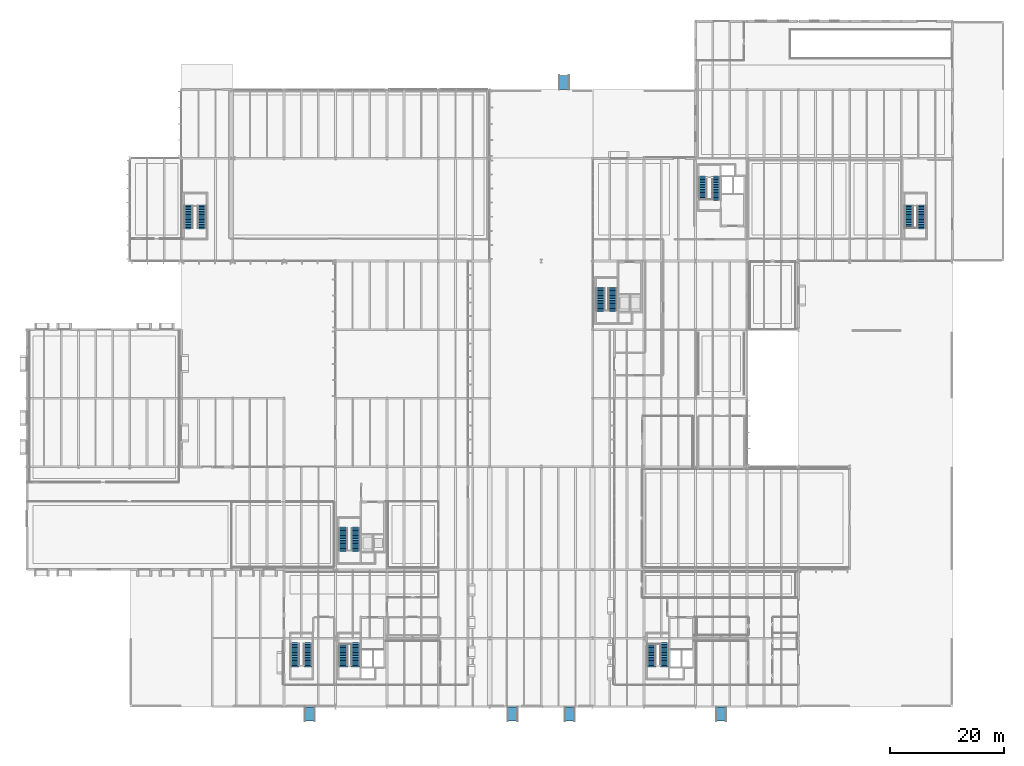
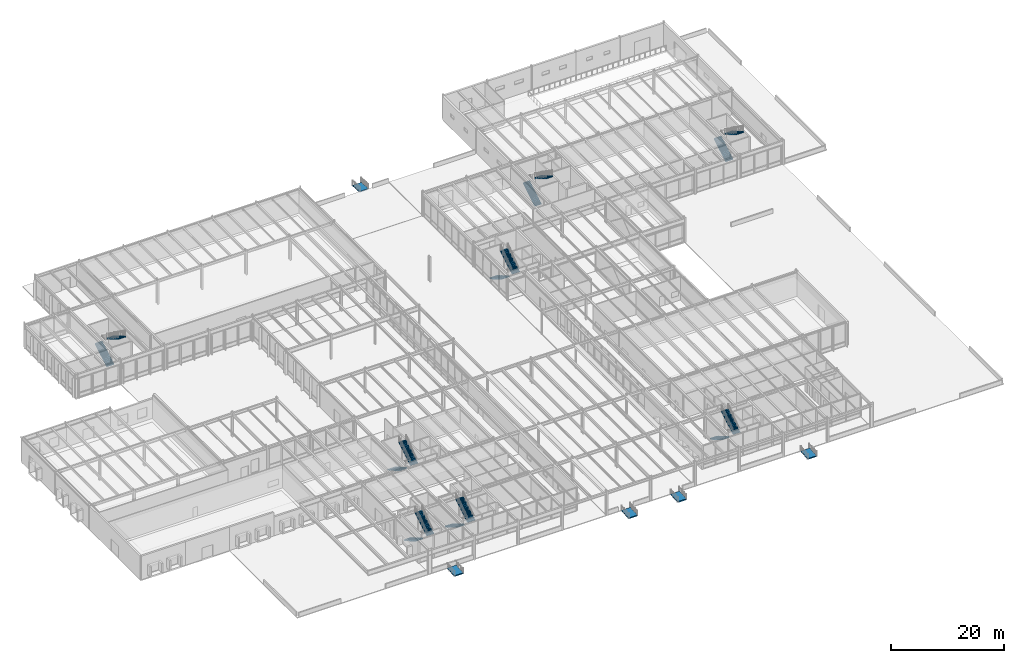
# One storey, part 131 of 143: 16 stair flights, 5 ramp flights, 13 elements without a shape of their own.
"""IFC4 building model written with IfcOpenShell, lengths in metres."""

import ifcopenshell
import ifcopenshell.guid

model = None  # the IFC model being written
_history = None  # IfcOwnerHistory: only IFC2X3 demands one
_inside = {}  # id of a spatial element -> (the spatial element, [elements in it])
_under = {}  # id of a project, library or spatial element -> (it, [spatial elements below it])
_declared = {}  # id of a project -> (the project, [libraries it declares])
_typed = {}  # id of a type object -> (the type object, [elements of that type])
_made_of = {}  # id of a material, layer set ... -> (it, [elements and type objects made of it])


def new_model(schema):
    """Start an empty IFC model of exactly this schema.

    Asked for "IFC4X3", IfcOpenShell would pick the latest addendum, in which some entities
    have other attributes; the version numbers below select the first issue.
    IFC2X3 requires an IfcOwnerHistory on every rooted entity: one is made here for all.
    """
    global model, _history
    if schema == "IFC4X3":
        model = ifcopenshell.file(schema_version=(4, 3, 0, 0))
    else:
        model = ifcopenshell.file(schema=schema)
    _inside.clear()
    _under.clear()
    _declared.clear()
    _typed.clear()
    _made_of.clear()
    _history = None
    if model.schema == "IFC2X3":
        org = make("IfcOrganization", Name="unknown")
        user = make(
            "IfcPersonAndOrganization",
            ThePerson=make("IfcPerson", FamilyName="unknown"),
            TheOrganization=org,
        )
        app = make(
            "IfcApplication",
            ApplicationDeveloper=org,
            Version="unknown",
            ApplicationFullName="unknown",
            ApplicationIdentifier="unknown",
        )
        _history = make(
            "IfcOwnerHistory",
            OwningUser=user,
            OwningApplication=app,
            ChangeAction="ADDED",
            CreationDate=0,
        )
    return model


def make(cls, **values):
    """One entity of the class cls with the attributes given. An attribute that is None is left unset."""
    return model.create_entity(
        cls, **{name: value for name, value in values.items() if value is not None}
    )


def rooted(cls, **values):
    """An entity with a GlobalId (a new one), such as an element, a storey or a relation."""
    return make(cls, GlobalId=ifcopenshell.guid.new(), OwnerHistory=_history, **values)


def si_unit(unit_type, name, prefix=None):
    """IfcSIUnit, for example si_unit("LENGTHUNIT", "METRE", prefix="MILLI")."""
    return make("IfcSIUnit", UnitType=unit_type, Prefix=prefix, Name=name)


def assignment(units):
    """IfcUnitAssignment: the units of a project."""
    return None if units is None else make("IfcUnitAssignment", Units=units)


def point(xyz):
    """IfcCartesianPoint."""
    return None if xyz is None else make("IfcCartesianPoint", Coordinates=xyz)


def direction(xyz):
    """IfcDirection."""
    return None if xyz is None else make("IfcDirection", DirectionRatios=xyz)


def frame(location, z_axis=None, x_axis=None):
    """IfcAxis2Placement3D, a coordinate frame: its origin and axes. An axis left out is left unset."""
    return make(
        "IfcAxis2Placement3D",
        Location=point(location),
        Axis=direction(z_axis),
        RefDirection=direction(x_axis),
    )


def origin():
    """The frame at (0, 0, 0) with its axes left unset."""
    return frame((0.0, 0.0, 0.0))


def place(relative_to, where):
    """IfcLocalPlacement: puts the frame where relative to a parent placement (None: the world)."""
    return make(
        "IfcLocalPlacement", PlacementRelTo=relative_to, RelativePlacement=where
    )


def context(
    kind, dimensions, precision=None, world=None, true_north=None, identifier=None
):
    """IfcGeometricRepresentationContext, for example the 3D "Model" context."""
    return make(
        "IfcGeometricRepresentationContext",
        ContextIdentifier=identifier,
        ContextType=kind,
        CoordinateSpaceDimension=dimensions,
        Precision=precision,
        WorldCoordinateSystem=world,
        TrueNorth=true_north,
    )


def subcontext(parent, identifier, kind, view, scale=None):
    """IfcGeometricRepresentationSubContext, for example "Body" below "Model"."""
    return make(
        "IfcGeometricRepresentationSubContext",
        ContextIdentifier=identifier,
        ContextType=kind,
        ParentContext=parent,
        TargetScale=scale,
        TargetView=view,
    )


def project(units=None, contexts=None):
    """IfcProject with its units and contexts."""
    return rooted(
        "IfcProject",
        Name="project",
        RepresentationContexts=contexts,
        UnitsInContext=assignment(units),
    )


def spatial(cls, under=None, at=None, **own):
    """A site, building, storey or space (cls), placed at a placement, below another one or the project."""
    s = rooted(cls, ObjectPlacement=at, **own)
    if under is not None:
        _under.setdefault(under.id(), (under, []))[1].append(s)
    return s


def polyline(points):
    """IfcPolyline through the points."""
    return make("IfcPolyline", Points=[point(p) for p in points])


def outline(outer, holes=None, kind="AREA"):
    """IfcArbitraryClosedProfileDef: a profile drawn as a closed curve; with holes, ...WithVoids."""
    if holes is None:
        return make("IfcArbitraryClosedProfileDef", ProfileType=kind, OuterCurve=outer)
    return make(
        "IfcArbitraryProfileDefWithVoids",
        ProfileType=kind,
        OuterCurve=outer,
        InnerCurves=holes,
    )


def extrude(swept, where, along, depth):
    """IfcExtrudedAreaSolid: the profile swept, set in the frame where, extruded along a direction by depth."""
    return make(
        "IfcExtrudedAreaSolid",
        SweptArea=swept,
        Position=where,
        ExtrudedDirection=direction(along),
        Depth=depth,
    )


def shape(context_of_items, identifier, shape_type, items):
    """IfcShapeRepresentation: the items that make up one representation, for example the "Body"."""
    return make(
        "IfcShapeRepresentation",
        ContextOfItems=context_of_items,
        RepresentationIdentifier=identifier,
        RepresentationType=shape_type,
        Items=items,
    )


def material(Name=None, Category=None):
    """IfcMaterial."""
    return make("IfcMaterial", Name=Name, Category=Category)


def layer(
    of_material, thickness, ventilated=None, Name=None, Category=None, Priority=None
):
    """IfcMaterialLayer: one layer of a wall or slab, of a material (None: an air gap)."""
    return make(
        "IfcMaterialLayer",
        Material=of_material,
        LayerThickness=thickness,
        IsVentilated=ventilated,
        Name=Name,
        Category=Category,
        Priority=Priority,
    )


def layer_set(layers, Name=None):
    """IfcMaterialLayerSet."""
    return make("IfcMaterialLayerSet", MaterialLayers=layers, LayerSetName=Name)


def made_of(thing, what):
    """Note that an element or type object is made of a material, layer set ...; save() writes the relation."""
    if what is not None:
        _made_of.setdefault(what.id(), (what, []))[1].append(thing)
    return thing


def type_object(cls, material=None, **own):
    """A type object (cls), such as IfcWallType, which elements share."""
    return made_of(rooted(cls, **own), material)


def element(
    cls,
    number,
    at=None,
    inside=None,
    cuts=None,
    type_object=None,
    material=None,
    context=None,
    identifier="Body",
    shape_type=None,
    held_by="IfcProductDefinitionShape",
    body=None,
    shapes=None,
    **own,
):
    """One element of the class cls, such as IfcWall. Its Tag is "e" and its number.

    at: its placement. inside: the storey or other place that contains it. cuts: it is an
    opening in that element (IfcRelVoidsElement). A single representation is given by context,
    identifier, shape_type and body (its items); several are given by shapes. held_by: the class
    of the entity that holds the representations. save() writes the other relations.
    """
    e = rooted(cls, Tag="e%d" % number, ObjectPlacement=at, **own)
    if body is not None:
        shapes = [shape(context, identifier, shape_type, body)]
    if shapes is not None:
        e.Representation = make(held_by, Representations=shapes)
    if inside is not None:
        _inside.setdefault(inside.id(), (inside, []))[1].append(e)
    if cuts is not None:
        rooted(
            "IfcRelVoidsElement", RelatingBuildingElement=cuts, RelatedOpeningElement=e
        )
    if type_object is not None:
        _typed.setdefault(type_object.id(), (type_object, []))[1].append(e)
    return made_of(e, material)


def aggregate(whole, parts):
    """IfcRelAggregates: a whole, such as a stair, and the parts it consists of."""
    return rooted("IfcRelAggregates", RelatingObject=whole, RelatedObjects=parts)


def save(model, path):
    """Write the relations noted so far, then the file.

    IfcRelAggregates (storeys below a building ...), IfcRelContainedInSpatialStructure (elements
    in a storey), IfcRelDefinesByType, IfcRelAssociatesMaterial and IfcRelDeclares: one each for
    every whole, place, type object, material and project.
    """
    for whole, parts in _under.values():
        aggregate(whole, parts)
    for where, things in _inside.values():
        rooted(
            "IfcRelContainedInSpatialStructure",
            RelatedElements=things,
            RelatingStructure=where,
        )
    for kind, things in _typed.values():
        rooted("IfcRelDefinesByType", RelatedObjects=things, RelatingType=kind)
    for what, things in _made_of.values():
        rooted("IfcRelAssociatesMaterial", RelatedObjects=things, RelatingMaterial=what)
    for by, libraries in _declared.values():
        rooted("IfcRelDeclares", RelatingContext=by, RelatedDefinitions=libraries)
    model.write(path)


model = new_model("IFC4")

# Units and contexts
model_context = context("Model", 3, precision=1e-05, world=origin(), true_north=direction((0.0, 1.0)))
body_context = subcontext(model_context, "Body", "Model", "MODEL_VIEW")
ifc_project = project(units=[si_unit("LENGTHUNIT", "METRE"), si_unit("AREAUNIT", "SQUARE_METRE"), si_unit("VOLUMEUNIT", "CUBIC_METRE"), si_unit("PLANEANGLEUNIT", "RADIAN"), si_unit("MASSUNIT", "GRAM", prefix="KILO")], contexts=[model_context])

# Site, building, storey
site_placement = place(None, origin())
site = spatial("IfcSite", under=ifc_project, at=site_placement, CompositionType="ELEMENT")
building_placement = place(site_placement, origin())
building = spatial("IfcBuilding", under=site, at=building_placement, Name="Montelvaro Courts of Justice", CompositionType="ELEMENT")
storey_placement = place(building_placement, origin())
storey = spatial("IfcBuildingStorey", under=building, at=storey_placement, Name="L00", CompositionType="ELEMENT", Elevation=0.0)

# Stair, stair flights
ifc_material = material(Name="Concrete C35/45", Category="concrete")
stair_type_1 = type_object("IfcStairType", Name="ProtectedStair_135", PredefinedType="HALF_TURN_STAIR", material=ifc_material)
stair_1_placement = place(storey_placement, origin())
stair_1 = element("IfcStair", 1, at=stair_1_placement, inside=storey, type_object=stair_type_1, Name="Protected Stair ST-K3-L00", PredefinedType="HALF_TURN_STAIR")
stair_flight_type_1 = type_object("IfcStairFlightType", Name="StairFlight_135", PredefinedType="STRAIGHT", material=ifc_material)
stair_flight_1_placement = place(storey_placement, frame((118.27490234375, 88.580078125, 0.0), z_axis=(0.0, 0.0, 1.0), x_axis=(0.0, 1.0, 0.0)))
stair_flight_1 = element("IfcStairFlight", 2, at=stair_flight_1_placement, type_object=stair_flight_type_1, Name="ST-K3-L00 flight 1", NumberOfRisers=16, NumberOfTreads=15, PredefinedType="STRAIGHT", RiserHeight=0.16875, TreadLength=0.285, context=body_context, shape_type="SweptSolid", body=[
    extrude(outline(polyline([(0.0, 0.0), (0.0, 0.168701171875), (0.284912109375, 0.168701171875), (0.284912109375, 0.33740234375), (0.570068359375, 0.33740234375), (0.570068359375, 0.50634765625), (0.85498046875, 0.50634765625), (0.85498046875, 0.675048828125), (1.139892578125, 0.675048828125), (1.139892578125, 0.84375), (1.425048828125, 0.84375), (1.425048828125, 1.012451171875), (1.7099609375, 1.012451171875), (1.7099609375, 1.18115234375), (1.9951171875, 1.18115234375), (1.9951171875, 1.35009765625), (2.280029296875, 1.35009765625), (2.280029296875, 1.518798828125), (2.56494140625, 1.518798828125), (2.56494140625, 1.6875), (2.85009765625, 1.6875), (2.85009765625, 1.856201171875), (3.135009765625, 1.856201171875), (3.135009765625, 2.02490234375), (3.419921875, 2.02490234375), (3.419921875, 2.19384765625), (3.705078125, 2.19384765625), (3.705078125, 2.362548828125), (3.989990234375, 2.362548828125), (3.989990234375, 2.53125), (4.27490234375, 2.53125), (4.27490234375, 2.699951171875), (4.27490234375, 2.345458984375), (0.31396484375, 0.0), (0.0, 0.0)])), frame((0.0, 0.675048828125, 0.0), z_axis=(0.0, -1.0, 0.0), x_axis=(1.0, 0.0, 0.0)), (0.0, 0.0, 1.0), 1.35009765625),
])
stair_flight_2_placement = place(storey_placement, frame((120.625, 92.85498046875, 2.699951171875), z_axis=(0.0, 0.0, 1.0), x_axis=(0.0, -1.0, 0.0)))
stair_flight_2 = element("IfcStairFlight", 3, at=stair_flight_2_placement, type_object=stair_flight_type_1, Name="ST-K3-L00 flight 2", NumberOfRisers=16, NumberOfTreads=15, PredefinedType="STRAIGHT", RiserHeight=0.16875, TreadLength=0.285, context=body_context, shape_type="SweptSolid", body=[
    extrude(outline(polyline([(0.0, 0.0), (0.0, 0.168701171875), (0.284912109375, 0.168701171875), (0.284912109375, 0.33740234375), (0.570068359375, 0.33740234375), (0.570068359375, 0.50634765625), (0.85498046875, 0.50634765625), (0.85498046875, 0.675048828125), (1.139892578125, 0.675048828125), (1.139892578125, 0.84375), (1.425048828125, 0.84375), (1.425048828125, 1.012451171875), (1.7099609375, 1.012451171875), (1.7099609375, 1.18115234375), (1.9951171875, 1.18115234375), (1.9951171875, 1.35009765625), (2.280029296875, 1.35009765625), (2.280029296875, 1.518798828125), (2.56494140625, 1.518798828125), (2.56494140625, 1.6875), (2.85009765625, 1.6875), (2.85009765625, 1.856201171875), (3.135009765625, 1.856201171875), (3.135009765625, 2.02490234375), (3.419921875, 2.02490234375), (3.419921875, 2.19384765625), (3.705078125, 2.19384765625), (3.705078125, 2.362548828125), (3.989990234375, 2.362548828125), (3.989990234375, 2.53125), (4.27490234375, 2.53125), (4.27490234375, 2.699951171875), (4.27490234375, 2.345458984375), (0.31396484375, 0.0), (0.0, 0.0)])), frame((0.0, 0.675048828125, 0.0), z_axis=(0.0, -1.0, 0.0), x_axis=(1.0, 0.0, 0.0)), (0.0, 0.0, 1.0), 1.35009765625),
])
aggregate(stair_1, [stair_flight_1, stair_flight_2])

stair_type_2 = type_object("IfcStairType", Name="ProtectedStair_145", PredefinedType="HALF_TURN_STAIR", material=ifc_material)
stair_2_placement = place(storey_placement, origin())
stair_2 = element("IfcStair", 4, at=stair_2_placement, inside=storey, type_object=stair_type_2, Name="Protected Stair ST-K2-L00", PredefinedType="HALF_TURN_STAIR")
stair_flight_type_2 = type_object("IfcStairFlightType", Name="StairFlight_145", PredefinedType="STRAIGHT", material=ifc_material)
stair_flight_3_placement = place(storey_placement, frame((109.324951171875, 11.219970703125, 0.0), z_axis=(0.0, 0.0, 1.0), x_axis=(0.0, -1.0, 0.0)))
stair_flight_3 = element("IfcStairFlight", 5, at=stair_flight_3_placement, type_object=stair_flight_type_2, Name="ST-K2-L00 flight 1", NumberOfRisers=16, NumberOfTreads=15, PredefinedType="STRAIGHT", RiserHeight=0.16875, TreadLength=0.285, context=body_context, shape_type="SweptSolid", body=[
    extrude(outline(polyline([(0.0, 0.0), (0.0, 0.168701171875), (0.284912109375, 0.168701171875), (0.284912109375, 0.33740234375), (0.570068359375, 0.33740234375), (0.570068359375, 0.50634765625), (0.85498046875, 0.50634765625), (0.85498046875, 0.675048828125), (1.139892578125, 0.675048828125), (1.139892578125, 0.84375), (1.425048828125, 0.84375), (1.425048828125, 1.012451171875), (1.7099609375, 1.012451171875), (1.7099609375, 1.18115234375), (1.9951171875, 1.18115234375), (1.9951171875, 1.35009765625), (2.280029296875, 1.35009765625), (2.280029296875, 1.518798828125), (2.56494140625, 1.518798828125), (2.56494140625, 1.6875), (2.85009765625, 1.6875), (2.85009765625, 1.856201171875), (3.135009765625, 1.856201171875), (3.135009765625, 2.02490234375), (3.419921875, 2.02490234375), (3.419921875, 2.19384765625), (3.705078125, 2.19384765625), (3.705078125, 2.362548828125), (3.989990234375, 2.362548828125), (3.989990234375, 2.53125), (4.27490234375, 2.53125), (4.27490234375, 2.699951171875), (4.27490234375, 2.345458984375), (0.31396484375, 0.0), (0.0, 0.0)])), frame((0.0, 0.72509765625, 0.0), z_axis=(0.0, -1.0, 0.0), x_axis=(1.0, 0.0, 0.0)), (0.0, 0.0, 1.0), 1.449951171875),
])
stair_flight_4_placement = place(storey_placement, frame((111.574951171875, 6.945068359375, 2.699951171875), z_axis=(0.0, 0.0, 1.0), x_axis=(0.0, 1.0, 0.0)))
stair_flight_4 = element("IfcStairFlight", 6, at=stair_flight_4_placement, type_object=stair_flight_type_2, Name="ST-K2-L00 flight 2", NumberOfRisers=16, NumberOfTreads=15, PredefinedType="STRAIGHT", RiserHeight=0.16875, TreadLength=0.285, context=body_context, shape_type="SweptSolid", body=[
    extrude(outline(polyline([(0.0, 0.0), (0.0, 0.168701171875), (0.284912109375, 0.168701171875), (0.284912109375, 0.33740234375), (0.570068359375, 0.33740234375), (0.570068359375, 0.50634765625), (0.85498046875, 0.50634765625), (0.85498046875, 0.675048828125), (1.139892578125, 0.675048828125), (1.139892578125, 0.84375), (1.425048828125, 0.84375), (1.425048828125, 1.012451171875), (1.7099609375, 1.012451171875), (1.7099609375, 1.18115234375), (1.9951171875, 1.18115234375), (1.9951171875, 1.35009765625), (2.280029296875, 1.35009765625), (2.280029296875, 1.518798828125), (2.56494140625, 1.518798828125), (2.56494140625, 1.6875), (2.85009765625, 1.6875), (2.85009765625, 1.856201171875), (3.135009765625, 1.856201171875), (3.135009765625, 2.02490234375), (3.419921875, 2.02490234375), (3.419921875, 2.19384765625), (3.705078125, 2.19384765625), (3.705078125, 2.362548828125), (3.989990234375, 2.362548828125), (3.989990234375, 2.53125), (4.27490234375, 2.53125), (4.27490234375, 2.699951171875), (4.27490234375, 2.345458984375), (0.31396484375, 0.0), (0.0, 0.0)])), frame((0.0, 0.72509765625, 0.0), z_axis=(0.0, -1.0, 0.0), x_axis=(1.0, 0.0, 0.0)), (0.0, 0.0, 1.0), 1.449951171875),
])
aggregate(stair_2, [stair_flight_3, stair_flight_4])

stair_3_placement = place(storey_placement, origin())
stair_3 = element("IfcStair", 7, at=stair_3_placement, inside=storey, type_object=stair_type_2, Name="Protected Stair ST-E1-L00", PredefinedType="HALF_TURN_STAIR")
stair_flight_5_placement = place(storey_placement, frame((46.925048828125, 11.219970703125, 0.0), z_axis=(0.0, 0.0, 1.0), x_axis=(0.0, -1.0, 0.0)))
stair_flight_5 = element("IfcStairFlight", 8, at=stair_flight_5_placement, type_object=stair_flight_type_2, Name="ST-E1-L00 flight 1", NumberOfRisers=16, NumberOfTreads=15, PredefinedType="STRAIGHT", RiserHeight=0.16875, TreadLength=0.285, context=body_context, shape_type="SweptSolid", body=[
    extrude(outline(polyline([(0.0, 0.0), (0.0, 0.168701171875), (0.284912109375, 0.168701171875), (0.284912109375, 0.33740234375), (0.570068359375, 0.33740234375), (0.570068359375, 0.50634765625), (0.85498046875, 0.50634765625), (0.85498046875, 0.675048828125), (1.139892578125, 0.675048828125), (1.139892578125, 0.84375), (1.425048828125, 0.84375), (1.425048828125, 1.012451171875), (1.7099609375, 1.012451171875), (1.7099609375, 1.18115234375), (1.9951171875, 1.18115234375), (1.9951171875, 1.35009765625), (2.280029296875, 1.35009765625), (2.280029296875, 1.518798828125), (2.56494140625, 1.518798828125), (2.56494140625, 1.6875), (2.85009765625, 1.6875), (2.85009765625, 1.856201171875), (3.135009765625, 1.856201171875), (3.135009765625, 2.02490234375), (3.419921875, 2.02490234375), (3.419921875, 2.19384765625), (3.705078125, 2.19384765625), (3.705078125, 2.362548828125), (3.989990234375, 2.362548828125), (3.989990234375, 2.53125), (4.27490234375, 2.53125), (4.27490234375, 2.699951171875), (4.27490234375, 2.345458984375), (0.31396484375, 0.0), (0.0, 0.0)])), frame((0.0, 0.72509765625, 0.0), z_axis=(0.0, -1.0, 0.0), x_axis=(1.0, 0.0, 0.0)), (0.0, 0.0, 1.0), 1.449951171875),
])
stair_flight_6_placement = place(storey_placement, frame((49.175048828125, 6.945068359375, 2.699951171875), z_axis=(0.0, 0.0, 1.0), x_axis=(0.0, 1.0, 0.0)))
stair_flight_6 = element("IfcStairFlight", 9, at=stair_flight_6_placement, type_object=stair_flight_type_2, Name="ST-E1-L00 flight 2", NumberOfRisers=16, NumberOfTreads=15, PredefinedType="STRAIGHT", RiserHeight=0.16875, TreadLength=0.285, context=body_context, shape_type="SweptSolid", body=[
    extrude(outline(polyline([(0.0, 0.0), (0.0, 0.168701171875), (0.284912109375, 0.168701171875), (0.284912109375, 0.33740234375), (0.570068359375, 0.33740234375), (0.570068359375, 0.50634765625), (0.85498046875, 0.50634765625), (0.85498046875, 0.675048828125), (1.139892578125, 0.675048828125), (1.139892578125, 0.84375), (1.425048828125, 0.84375), (1.425048828125, 1.012451171875), (1.7099609375, 1.012451171875), (1.7099609375, 1.18115234375), (1.9951171875, 1.18115234375), (1.9951171875, 1.35009765625), (2.280029296875, 1.35009765625), (2.280029296875, 1.518798828125), (2.56494140625, 1.518798828125), (2.56494140625, 1.6875), (2.85009765625, 1.6875), (2.85009765625, 1.856201171875), (3.135009765625, 1.856201171875), (3.135009765625, 2.02490234375), (3.419921875, 2.02490234375), (3.419921875, 2.19384765625), (3.705078125, 2.19384765625), (3.705078125, 2.362548828125), (3.989990234375, 2.362548828125), (3.989990234375, 2.53125), (4.27490234375, 2.53125), (4.27490234375, 2.699951171875), (4.27490234375, 2.345458984375), (0.31396484375, 0.0), (0.0, 0.0)])), frame((0.0, 0.72509765625, 0.0), z_axis=(0.0, -1.0, 0.0), x_axis=(1.0, 0.0, 0.0)), (0.0, 0.0, 1.0), 1.449951171875),
])
aggregate(stair_3, [stair_flight_5, stair_flight_6])

stair_type_3 = type_object("IfcStairType", Name="ProtectedStair_150", PredefinedType="HALF_TURN_STAIR", material=ifc_material)
stair_4_placement = place(storey_placement, origin())
stair_4 = element("IfcStair", 10, at=stair_4_placement, inside=storey, type_object=stair_type_3, Name="Protected Stair ST-W1-L00", PredefinedType="HALF_TURN_STAIR")
stair_flight_type_3 = type_object("IfcStairFlightType", Name="StairFlight_150", PredefinedType="STRAIGHT", material=ifc_material)
stair_flight_7_placement = place(storey_placement, frame((55.35009765625, 31.419921875, 0.0), z_axis=(0.0, 0.0, 1.0), x_axis=(0.0, -1.0, 0.0)))
stair_flight_7 = element("IfcStairFlight", 11, at=stair_flight_7_placement, type_object=stair_flight_type_3, Name="ST-W1-L00 flight 1", NumberOfRisers=16, NumberOfTreads=15, PredefinedType="STRAIGHT", RiserHeight=0.16875, TreadLength=0.285, context=body_context, shape_type="SweptSolid", body=[
    extrude(outline(polyline([(0.0, 0.0), (0.0, 0.168701171875), (0.284912109375, 0.168701171875), (0.284912109375, 0.33740234375), (0.570068359375, 0.33740234375), (0.570068359375, 0.50634765625), (0.85498046875, 0.50634765625), (0.85498046875, 0.675048828125), (1.139892578125, 0.675048828125), (1.139892578125, 0.84375), (1.425048828125, 0.84375), (1.425048828125, 1.012451171875), (1.7099609375, 1.012451171875), (1.7099609375, 1.18115234375), (1.9951171875, 1.18115234375), (1.9951171875, 1.35009765625), (2.280029296875, 1.35009765625), (2.280029296875, 1.518798828125), (2.56494140625, 1.518798828125), (2.56494140625, 1.6875), (2.85009765625, 1.6875), (2.85009765625, 1.856201171875), (3.135009765625, 1.856201171875), (3.135009765625, 2.02490234375), (3.419921875, 2.02490234375), (3.419921875, 2.19384765625), (3.705078125, 2.19384765625), (3.705078125, 2.362548828125), (3.989990234375, 2.362548828125), (3.989990234375, 2.53125), (4.27490234375, 2.53125), (4.27490234375, 2.699951171875), (4.27490234375, 2.345458984375), (0.31396484375, 0.0), (0.0, 0.0)])), frame((0.0, 0.75, 0.0), z_axis=(0.0, -1.0, 0.0), x_axis=(1.0, 0.0, 0.0)), (0.0, 0.0, 1.0), 1.5),
])
stair_flight_8_placement = place(storey_placement, frame((57.550048828125, 27.14501953125, 2.699951171875), z_axis=(0.0, 0.0, 1.0), x_axis=(0.0, 1.0, 0.0)))
stair_flight_8 = element("IfcStairFlight", 12, at=stair_flight_8_placement, type_object=stair_flight_type_3, Name="ST-W1-L00 flight 2", NumberOfRisers=16, NumberOfTreads=15, PredefinedType="STRAIGHT", RiserHeight=0.16875, TreadLength=0.285, context=body_context, shape_type="SweptSolid", body=[
    extrude(outline(polyline([(0.0, 0.0), (0.0, 0.168701171875), (0.284912109375, 0.168701171875), (0.284912109375, 0.33740234375), (0.570068359375, 0.33740234375), (0.570068359375, 0.50634765625), (0.85498046875, 0.50634765625), (0.85498046875, 0.675048828125), (1.139892578125, 0.675048828125), (1.139892578125, 0.84375), (1.425048828125, 0.84375), (1.425048828125, 1.012451171875), (1.7099609375, 1.012451171875), (1.7099609375, 1.18115234375), (1.9951171875, 1.18115234375), (1.9951171875, 1.35009765625), (2.280029296875, 1.35009765625), (2.280029296875, 1.518798828125), (2.56494140625, 1.518798828125), (2.56494140625, 1.6875), (2.85009765625, 1.6875), (2.85009765625, 1.856201171875), (3.135009765625, 1.856201171875), (3.135009765625, 2.02490234375), (3.419921875, 2.02490234375), (3.419921875, 2.19384765625), (3.705078125, 2.19384765625), (3.705078125, 2.362548828125), (3.989990234375, 2.362548828125), (3.989990234375, 2.53125), (4.27490234375, 2.53125), (4.27490234375, 2.699951171875), (4.27490234375, 2.345458984375), (0.31396484375, 0.0), (0.0, 0.0)])), frame((0.0, 0.75, 0.0), z_axis=(0.0, -1.0, 0.0), x_axis=(1.0, 0.0, 0.0)), (0.0, 0.0, 1.0), 1.5),
])
aggregate(stair_4, [stair_flight_7, stair_flight_8])

stair_5_placement = place(storey_placement, origin())
stair_5 = element("IfcStair", 13, at=stair_5_placement, inside=storey, type_object=stair_type_3, Name="Protected Stair ST-P1-L00", PredefinedType="HALF_TURN_STAIR")
stair_flight_9_placement = place(storey_placement, frame((28.25, 83.580078125, 0.0), z_axis=(0.0, 0.0, 1.0), x_axis=(0.0, 1.0, 0.0)))
stair_flight_9 = element("IfcStairFlight", 14, at=stair_flight_9_placement, type_object=stair_flight_type_3, Name="ST-P1-L00 flight 1", NumberOfRisers=16, NumberOfTreads=15, PredefinedType="STRAIGHT", RiserHeight=0.16875, TreadLength=0.285, context=body_context, shape_type="SweptSolid", body=[
    extrude(outline(polyline([(0.0, 0.0), (0.0, 0.168701171875), (0.284912109375, 0.168701171875), (0.284912109375, 0.33740234375), (0.570068359375, 0.33740234375), (0.570068359375, 0.50634765625), (0.85498046875, 0.50634765625), (0.85498046875, 0.675048828125), (1.139892578125, 0.675048828125), (1.139892578125, 0.84375), (1.425048828125, 0.84375), (1.425048828125, 1.012451171875), (1.7099609375, 1.012451171875), (1.7099609375, 1.18115234375), (1.9951171875, 1.18115234375), (1.9951171875, 1.35009765625), (2.280029296875, 1.35009765625), (2.280029296875, 1.518798828125), (2.56494140625, 1.518798828125), (2.56494140625, 1.6875), (2.85009765625, 1.6875), (2.85009765625, 1.856201171875), (3.135009765625, 1.856201171875), (3.135009765625, 2.02490234375), (3.419921875, 2.02490234375), (3.419921875, 2.19384765625), (3.705078125, 2.19384765625), (3.705078125, 2.362548828125), (3.989990234375, 2.362548828125), (3.989990234375, 2.53125), (4.27490234375, 2.53125), (4.27490234375, 2.699951171875), (4.27490234375, 2.345458984375), (0.31396484375, 0.0), (0.0, 0.0)])), frame((0.0, 0.75, 0.0), z_axis=(0.0, -1.0, 0.0), x_axis=(1.0, 0.0, 0.0)), (0.0, 0.0, 1.0), 1.5),
])
stair_flight_10_placement = place(storey_placement, frame((30.64990234375, 87.85498046875, 2.699951171875), z_axis=(0.0, 0.0, 1.0), x_axis=(0.0, -1.0, 0.0)))
stair_flight_10 = element("IfcStairFlight", 15, at=stair_flight_10_placement, type_object=stair_flight_type_3, Name="ST-P1-L00 flight 2", NumberOfRisers=16, NumberOfTreads=15, PredefinedType="STRAIGHT", RiserHeight=0.16875, TreadLength=0.285, context=body_context, shape_type="SweptSolid", body=[
    extrude(outline(polyline([(0.0, 0.0), (0.0, 0.168701171875), (0.284912109375, 0.168701171875), (0.284912109375, 0.33740234375), (0.570068359375, 0.33740234375), (0.570068359375, 0.50634765625), (0.85498046875, 0.50634765625), (0.85498046875, 0.675048828125), (1.139892578125, 0.675048828125), (1.139892578125, 0.84375), (1.425048828125, 0.84375), (1.425048828125, 1.012451171875), (1.7099609375, 1.012451171875), (1.7099609375, 1.18115234375), (1.9951171875, 1.18115234375), (1.9951171875, 1.35009765625), (2.280029296875, 1.35009765625), (2.280029296875, 1.518798828125), (2.56494140625, 1.518798828125), (2.56494140625, 1.6875), (2.85009765625, 1.6875), (2.85009765625, 1.856201171875), (3.135009765625, 1.856201171875), (3.135009765625, 2.02490234375), (3.419921875, 2.02490234375), (3.419921875, 2.19384765625), (3.705078125, 2.19384765625), (3.705078125, 2.362548828125), (3.989990234375, 2.362548828125), (3.989990234375, 2.53125), (4.27490234375, 2.53125), (4.27490234375, 2.699951171875), (4.27490234375, 2.345458984375), (0.31396484375, 0.0), (0.0, 0.0)])), frame((0.0, 0.75, 0.0), z_axis=(0.0, -1.0, 0.0), x_axis=(1.0, 0.0, 0.0)), (0.0, 0.0, 1.0), 1.5),
])
aggregate(stair_5, [stair_flight_9, stair_flight_10])

stair_6_placement = place(storey_placement, origin())
stair_6 = element("IfcStair", 16, at=stair_6_placement, inside=storey, type_object=stair_type_3, Name="Protected Stair ST-V2-L00", PredefinedType="HALF_TURN_STAIR")
stair_flight_11_placement = place(storey_placement, frame((154.35009765625, 83.580078125, 0.0), z_axis=(0.0, 0.0, 1.0), x_axis=(0.0, 1.0, 0.0)))
stair_flight_11 = element("IfcStairFlight", 17, at=stair_flight_11_placement, type_object=stair_flight_type_3, Name="ST-V2-L00 flight 1", NumberOfRisers=16, NumberOfTreads=15, PredefinedType="STRAIGHT", RiserHeight=0.16875, TreadLength=0.285, context=body_context, shape_type="SweptSolid", body=[
    extrude(outline(polyline([(0.0, 0.0), (0.0, 0.168701171875), (0.284912109375, 0.168701171875), (0.284912109375, 0.33740234375), (0.570068359375, 0.33740234375), (0.570068359375, 0.50634765625), (0.85498046875, 0.50634765625), (0.85498046875, 0.675048828125), (1.139892578125, 0.675048828125), (1.139892578125, 0.84375), (1.425048828125, 0.84375), (1.425048828125, 1.012451171875), (1.7099609375, 1.012451171875), (1.7099609375, 1.18115234375), (1.9951171875, 1.18115234375), (1.9951171875, 1.35009765625), (2.280029296875, 1.35009765625), (2.280029296875, 1.518798828125), (2.56494140625, 1.518798828125), (2.56494140625, 1.6875), (2.85009765625, 1.6875), (2.85009765625, 1.856201171875), (3.135009765625, 1.856201171875), (3.135009765625, 2.02490234375), (3.419921875, 2.02490234375), (3.419921875, 2.19384765625), (3.705078125, 2.19384765625), (3.705078125, 2.362548828125), (3.989990234375, 2.362548828125), (3.989990234375, 2.53125), (4.27490234375, 2.53125), (4.27490234375, 2.699951171875), (4.27490234375, 2.345458984375), (0.31396484375, 0.0), (0.0, 0.0)])), frame((0.0, 0.75, 0.0), z_axis=(0.0, -1.0, 0.0), x_axis=(1.0, 0.0, 0.0)), (0.0, 0.0, 1.0), 1.5),
])
stair_flight_12_placement = place(storey_placement, frame((156.550048828125, 87.85498046875, 2.699951171875), z_axis=(0.0, 0.0, 1.0), x_axis=(0.0, -1.0, 0.0)))
stair_flight_12 = element("IfcStairFlight", 18, at=stair_flight_12_placement, type_object=stair_flight_type_3, Name="ST-V2-L00 flight 2", NumberOfRisers=16, NumberOfTreads=15, PredefinedType="STRAIGHT", RiserHeight=0.16875, TreadLength=0.285, context=body_context, shape_type="SweptSolid", body=[
    extrude(outline(polyline([(0.0, 0.0), (0.0, 0.168701171875), (0.284912109375, 0.168701171875), (0.284912109375, 0.33740234375), (0.570068359375, 0.33740234375), (0.570068359375, 0.50634765625), (0.85498046875, 0.50634765625), (0.85498046875, 0.675048828125), (1.139892578125, 0.675048828125), (1.139892578125, 0.84375), (1.425048828125, 0.84375), (1.425048828125, 1.012451171875), (1.7099609375, 1.012451171875), (1.7099609375, 1.18115234375), (1.9951171875, 1.18115234375), (1.9951171875, 1.35009765625), (2.280029296875, 1.35009765625), (2.280029296875, 1.518798828125), (2.56494140625, 1.518798828125), (2.56494140625, 1.6875), (2.85009765625, 1.6875), (2.85009765625, 1.856201171875), (3.135009765625, 1.856201171875), (3.135009765625, 2.02490234375), (3.419921875, 2.02490234375), (3.419921875, 2.19384765625), (3.705078125, 2.19384765625), (3.705078125, 2.362548828125), (3.989990234375, 2.362548828125), (3.989990234375, 2.53125), (4.27490234375, 2.53125), (4.27490234375, 2.699951171875), (4.27490234375, 2.345458984375), (0.31396484375, 0.0), (0.0, 0.0)])), frame((0.0, 0.75, 0.0), z_axis=(0.0, -1.0, 0.0), x_axis=(1.0, 0.0, 0.0)), (0.0, 0.0, 1.0), 1.5),
])
aggregate(stair_6, [stair_flight_11, stair_flight_12])

stair_type_4 = type_object("IfcStairType", Name="ProtectedStair_155", PredefinedType="HALF_TURN_STAIR", material=ifc_material)
stair_7_placement = place(storey_placement, origin())
stair_7 = element("IfcStair", 19, at=stair_7_placement, inside=storey, type_object=stair_type_4, Name="Protected Stair ST-K1-L00", PredefinedType="HALF_TURN_STAIR")
stair_flight_type_4 = type_object("IfcStairFlightType", Name="StairFlight_155", PredefinedType="STRAIGHT", material=ifc_material)
stair_flight_13_placement = place(storey_placement, frame((55.375, 11.219970703125, 0.0), z_axis=(0.0, 0.0, 1.0), x_axis=(0.0, -1.0, 0.0)))
stair_flight_13 = element("IfcStairFlight", 20, at=stair_flight_13_placement, type_object=stair_flight_type_4, Name="ST-K1-L00 flight 1", NumberOfRisers=16, NumberOfTreads=15, PredefinedType="STRAIGHT", RiserHeight=0.16875, TreadLength=0.285, context=body_context, shape_type="SweptSolid", body=[
    extrude(outline(polyline([(0.0, 0.0), (0.0, 0.168701171875), (0.284912109375, 0.168701171875), (0.284912109375, 0.33740234375), (0.570068359375, 0.33740234375), (0.570068359375, 0.50634765625), (0.85498046875, 0.50634765625), (0.85498046875, 0.675048828125), (1.139892578125, 0.675048828125), (1.139892578125, 0.84375), (1.425048828125, 0.84375), (1.425048828125, 1.012451171875), (1.7099609375, 1.012451171875), (1.7099609375, 1.18115234375), (1.9951171875, 1.18115234375), (1.9951171875, 1.35009765625), (2.280029296875, 1.35009765625), (2.280029296875, 1.518798828125), (2.56494140625, 1.518798828125), (2.56494140625, 1.6875), (2.85009765625, 1.6875), (2.85009765625, 1.856201171875), (3.135009765625, 1.856201171875), (3.135009765625, 2.02490234375), (3.419921875, 2.02490234375), (3.419921875, 2.19384765625), (3.705078125, 2.19384765625), (3.705078125, 2.362548828125), (3.989990234375, 2.362548828125), (3.989990234375, 2.53125), (4.27490234375, 2.53125), (4.27490234375, 2.699951171875), (4.27490234375, 2.345458984375), (0.31396484375, 0.0), (0.0, 0.0)])), frame((0.0, 0.77490234375, 0.0), z_axis=(0.0, -1.0, 0.0), x_axis=(1.0, 0.0, 0.0)), (0.0, 0.0, 1.0), 1.550048828125),
])
stair_flight_14_placement = place(storey_placement, frame((57.52490234375, 6.945068359375, 2.699951171875), z_axis=(0.0, 0.0, 1.0), x_axis=(0.0, 1.0, 0.0)))
stair_flight_14 = element("IfcStairFlight", 21, at=stair_flight_14_placement, type_object=stair_flight_type_4, Name="ST-K1-L00 flight 2", NumberOfRisers=16, NumberOfTreads=15, PredefinedType="STRAIGHT", RiserHeight=0.16875, TreadLength=0.285, context=body_context, shape_type="SweptSolid", body=[
    extrude(outline(polyline([(0.0, 0.0), (0.0, 0.168701171875), (0.284912109375, 0.168701171875), (0.284912109375, 0.33740234375), (0.570068359375, 0.33740234375), (0.570068359375, 0.50634765625), (0.85498046875, 0.50634765625), (0.85498046875, 0.675048828125), (1.139892578125, 0.675048828125), (1.139892578125, 0.84375), (1.425048828125, 0.84375), (1.425048828125, 1.012451171875), (1.7099609375, 1.012451171875), (1.7099609375, 1.18115234375), (1.9951171875, 1.18115234375), (1.9951171875, 1.35009765625), (2.280029296875, 1.35009765625), (2.280029296875, 1.518798828125), (2.56494140625, 1.518798828125), (2.56494140625, 1.6875), (2.85009765625, 1.6875), (2.85009765625, 1.856201171875), (3.135009765625, 1.856201171875), (3.135009765625, 2.02490234375), (3.419921875, 2.02490234375), (3.419921875, 2.19384765625), (3.705078125, 2.19384765625), (3.705078125, 2.362548828125), (3.989990234375, 2.362548828125), (3.989990234375, 2.53125), (4.27490234375, 2.53125), (4.27490234375, 2.699951171875), (4.27490234375, 2.345458984375), (0.31396484375, 0.0), (0.0, 0.0)])), frame((0.0, 0.77490234375, 0.0), z_axis=(0.0, -1.0, 0.0), x_axis=(1.0, 0.0, 0.0)), (0.0, 0.0, 1.0), 1.550048828125),
])
aggregate(stair_7, [stair_flight_13, stair_flight_14])

stair_8_placement = place(storey_placement, origin())
stair_8 = element("IfcStair", 22, at=stair_8_placement, inside=storey, type_object=stair_type_4, Name="Protected Stair ST-K4-L00", PredefinedType="HALF_TURN_STAIR")
stair_flight_15_placement = place(storey_placement, frame((100.375, 73.419921875, 0.0), z_axis=(0.0, 0.0, 1.0), x_axis=(0.0, -1.0, 0.0)))
stair_flight_15 = element("IfcStairFlight", 23, at=stair_flight_15_placement, type_object=stair_flight_type_4, Name="ST-K4-L00 flight 1", NumberOfRisers=16, NumberOfTreads=15, PredefinedType="STRAIGHT", RiserHeight=0.16875, TreadLength=0.285, context=body_context, shape_type="SweptSolid", body=[
    extrude(outline(polyline([(0.0, 0.0), (0.0, 0.168701171875), (0.284912109375, 0.168701171875), (0.284912109375, 0.33740234375), (0.570068359375, 0.33740234375), (0.570068359375, 0.50634765625), (0.85498046875, 0.50634765625), (0.85498046875, 0.675048828125), (1.139892578125, 0.675048828125), (1.139892578125, 0.84375), (1.425048828125, 0.84375), (1.425048828125, 1.012451171875), (1.7099609375, 1.012451171875), (1.7099609375, 1.18115234375), (1.9951171875, 1.18115234375), (1.9951171875, 1.35009765625), (2.280029296875, 1.35009765625), (2.280029296875, 1.518798828125), (2.56494140625, 1.518798828125), (2.56494140625, 1.6875), (2.85009765625, 1.6875), (2.85009765625, 1.856201171875), (3.135009765625, 1.856201171875), (3.135009765625, 2.02490234375), (3.419921875, 2.02490234375), (3.419921875, 2.19384765625), (3.705078125, 2.19384765625), (3.705078125, 2.362548828125), (3.989990234375, 2.362548828125), (3.989990234375, 2.53125), (4.27490234375, 2.53125), (4.27490234375, 2.699951171875), (4.27490234375, 2.345458984375), (0.31396484375, 0.0), (0.0, 0.0)])), frame((0.0, 0.77490234375, 0.0), z_axis=(0.0, -1.0, 0.0), x_axis=(1.0, 0.0, 0.0)), (0.0, 0.0, 1.0), 1.550048828125),
])
stair_flight_16_placement = place(storey_placement, frame((102.52490234375, 69.14501953125, 2.699951171875), z_axis=(0.0, 0.0, 1.0), x_axis=(0.0, 1.0, 0.0)))
stair_flight_16 = element("IfcStairFlight", 24, at=stair_flight_16_placement, type_object=stair_flight_type_4, Name="ST-K4-L00 flight 2", NumberOfRisers=16, NumberOfTreads=15, PredefinedType="STRAIGHT", RiserHeight=0.16875, TreadLength=0.285, context=body_context, shape_type="SweptSolid", body=[
    extrude(outline(polyline([(0.0, 0.0), (0.0, 0.168701171875), (0.284912109375, 0.168701171875), (0.284912109375, 0.33740234375), (0.570068359375, 0.33740234375), (0.570068359375, 0.50634765625), (0.85498046875, 0.50634765625), (0.85498046875, 0.675048828125), (1.139892578125, 0.675048828125), (1.139892578125, 0.84375), (1.425048828125, 0.84375), (1.425048828125, 1.012451171875), (1.7099609375, 1.012451171875), (1.7099609375, 1.18115234375), (1.9951171875, 1.18115234375), (1.9951171875, 1.35009765625), (2.280029296875, 1.35009765625), (2.280029296875, 1.518798828125), (2.56494140625, 1.518798828125), (2.56494140625, 1.6875), (2.85009765625, 1.6875), (2.85009765625, 1.856201171875), (3.135009765625, 1.856201171875), (3.135009765625, 2.02490234375), (3.419921875, 2.02490234375), (3.419921875, 2.19384765625), (3.705078125, 2.19384765625), (3.705078125, 2.362548828125), (3.989990234375, 2.362548828125), (3.989990234375, 2.53125), (4.27490234375, 2.53125), (4.27490234375, 2.699951171875), (4.27490234375, 2.345458984375), (0.31396484375, 0.0), (0.0, 0.0)])), frame((0.0, 0.77490234375, 0.0), z_axis=(0.0, -1.0, 0.0), x_axis=(1.0, 0.0, 0.0)), (0.0, 0.0, 1.0), 1.550048828125),
])
aggregate(stair_8, [stair_flight_15, stair_flight_16])

# Ramp, ramp flight
ramp_type = type_object("IfcRampType", Name="AccessRamp_180", PredefinedType="STRAIGHT_RUN_RAMP", material=ifc_material)
ramp_1_placement = place(storey_placement, origin())
ramp_1 = element("IfcRamp", 25, at=ramp_1_placement, inside=storey, type_object=ramp_type, Name="Accessible Entrance Ramp AR-01", PredefinedType="STRAIGHT_RUN_RAMP")
ifc_layer = layer(ifc_material, 0.219970703125)
ifc_layer_set = layer_set([ifc_layer], Name="Concrete C35/45")
ramp_flight_type = type_object("IfcRampFlightType", Name="AccessRampFlight_220", PredefinedType="STRAIGHT", material=ifc_layer_set)
ramp_flight_1_placement = place(storey_placement, frame((49.5, -2.5, -0.14990234375), z_axis=(0.0, 0.0, 1.0), x_axis=(0.0, 1.0, 0.0)))
ramp_flight_1 = element("IfcRampFlight", 26, at=ramp_flight_1_placement, type_object=ramp_flight_type, Name="Accessible Ramp Flight AR-01", PredefinedType="STRAIGHT", context=body_context, shape_type="SweptSolid", body=[
    extrude(outline(polyline([(0.0, 0.0), (2.5, 0.14990234375), (2.5, -0.070556640625), (0.0, -0.220458984375), (0.0, 0.0)])), frame((0.0, 0.89990234375, 0.0), z_axis=(0.0, -1.0, 0.0), x_axis=(1.0, 0.0, 0.0)), (0.0, 0.0, 1.0), 1.800048828125),
])
aggregate(ramp_1, [ramp_flight_1])

ramp_2_placement = place(storey_placement, origin())
ramp_2 = element("IfcRamp", 27, at=ramp_2_placement, inside=storey, type_object=ramp_type, Name="Accessible Entrance Ramp AR-02", PredefinedType="STRAIGHT_RUN_RAMP")
ramp_flight_2_placement = place(storey_placement, frame((85.0, -2.5, -0.14990234375), z_axis=(0.0, 0.0, 1.0), x_axis=(0.0, 1.0, 0.0)))
ramp_flight_2 = element("IfcRampFlight", 28, at=ramp_flight_2_placement, type_object=ramp_flight_type, Name="Accessible Ramp Flight AR-02", PredefinedType="STRAIGHT", context=body_context, shape_type="SweptSolid", body=[
    extrude(outline(polyline([(0.0, 0.0), (2.5, 0.14990234375), (2.5, -0.070556640625), (0.0, -0.220458984375), (0.0, 0.0)])), frame((0.0, 0.89990234375, 0.0), z_axis=(0.0, -1.0, 0.0), x_axis=(1.0, 0.0, 0.0)), (0.0, 0.0, 1.0), 1.800048828125),
])
aggregate(ramp_2, [ramp_flight_2])

ramp_3_placement = place(storey_placement, origin())
ramp_3 = element("IfcRamp", 29, at=ramp_3_placement, inside=storey, type_object=ramp_type, Name="Accessible Entrance Ramp AR-03", PredefinedType="STRAIGHT_RUN_RAMP")
ramp_flight_3_placement = place(storey_placement, frame((95.0, -2.5, -0.14990234375), z_axis=(0.0, 0.0, 1.0), x_axis=(0.0, 1.0, 0.0)))
ramp_flight_3 = element("IfcRampFlight", 30, at=ramp_flight_3_placement, type_object=ramp_flight_type, Name="Accessible Ramp Flight AR-03", PredefinedType="STRAIGHT", context=body_context, shape_type="SweptSolid", body=[
    extrude(outline(polyline([(0.0, 0.0), (2.5, 0.14990234375), (2.5, -0.070556640625), (0.0, -0.220458984375), (0.0, 0.0)])), frame((0.0, 0.89990234375, 0.0), z_axis=(0.0, -1.0, 0.0), x_axis=(1.0, 0.0, 0.0)), (0.0, 0.0, 1.0), 1.800048828125),
])
aggregate(ramp_3, [ramp_flight_3])

ramp_4_placement = place(storey_placement, origin())
ramp_4 = element("IfcRamp", 31, at=ramp_4_placement, inside=storey, type_object=ramp_type, Name="Accessible Entrance Ramp AR-04", PredefinedType="STRAIGHT_RUN_RAMP")
ramp_flight_4_placement = place(storey_placement, frame((121.5, -2.5, -0.14990234375), z_axis=(0.0, 0.0, 1.0), x_axis=(0.0, 1.0, 0.0)))
ramp_flight_4 = element("IfcRampFlight", 32, at=ramp_flight_4_placement, type_object=ramp_flight_type, Name="Accessible Ramp Flight AR-04", PredefinedType="STRAIGHT", context=body_context, shape_type="SweptSolid", body=[
    extrude(outline(polyline([(0.0, 0.0), (2.5, 0.14990234375), (2.5, -0.070556640625), (0.0, -0.220458984375), (0.0, 0.0)])), frame((0.0, 0.89990234375, 0.0), z_axis=(0.0, -1.0, 0.0), x_axis=(1.0, 0.0, 0.0)), (0.0, 0.0, 1.0), 1.800048828125),
])
aggregate(ramp_4, [ramp_flight_4])

ramp_5_placement = place(storey_placement, origin())
ramp_5 = element("IfcRamp", 33, at=ramp_5_placement, inside=storey, type_object=ramp_type, Name="Accessible Entrance Ramp AR-05", PredefinedType="STRAIGHT_RUN_RAMP")
ramp_flight_5_placement = place(storey_placement, frame((94.0, 110.5, -0.14990234375), z_axis=(0.0, 0.0, 1.0), x_axis=(0.0, -1.0, 0.0)))
ramp_flight_5 = element("IfcRampFlight", 34, at=ramp_flight_5_placement, type_object=ramp_flight_type, Name="Accessible Ramp Flight AR-05", PredefinedType="STRAIGHT", context=body_context, shape_type="SweptSolid", body=[
    extrude(outline(polyline([(0.0, 0.0), (2.5, 0.14990234375), (2.5, -0.070556640625), (0.0, -0.220458984375), (0.0, 0.0)])), frame((0.0, 0.89990234375, 0.0), z_axis=(0.0, -1.0, 0.0), x_axis=(1.0, 0.0, 0.0)), (0.0, 0.0, 1.0), 1.800048828125),
])
aggregate(ramp_5, [ramp_flight_5])

save(model, "model.ifc")
